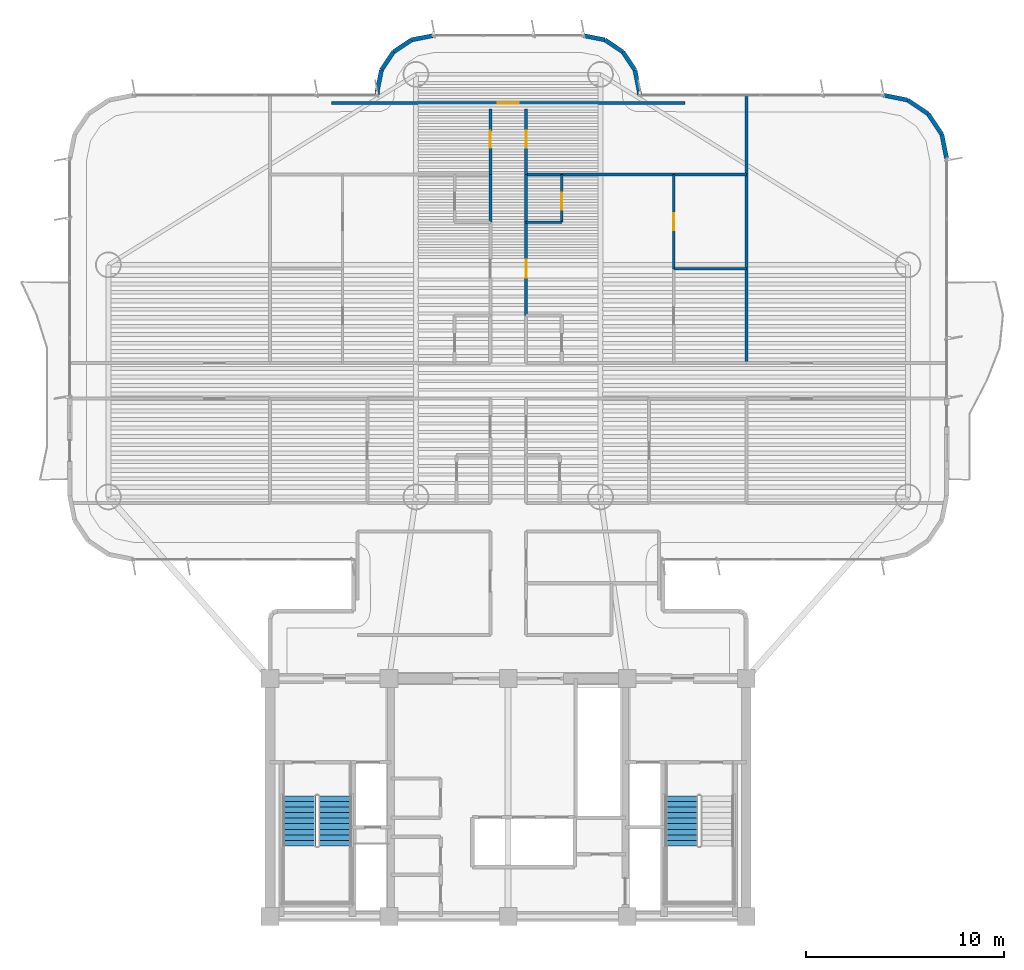
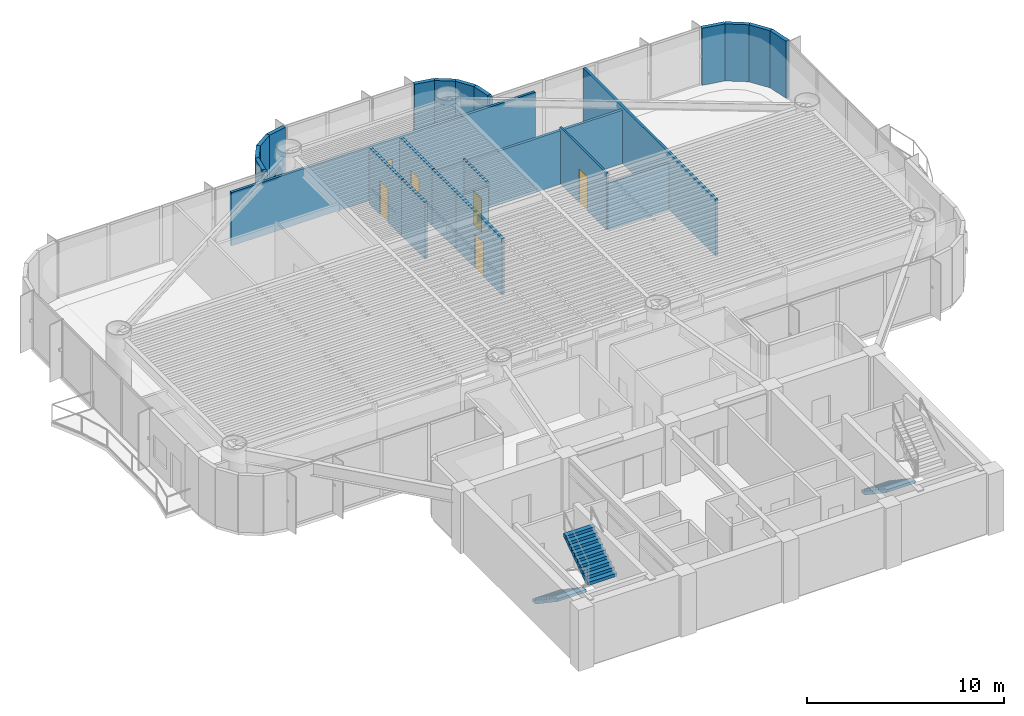
# One storey, part 12 of 17: 26 walls, 6 doors, 3 stair flights, 6 openings, 2 elements without a shape of their own.
"""IFC4 building model written with IfcOpenShell, lengths in metres."""

from ifc_helpers import new_model, si_unit, direction, frame, frame_2d, origin, origin_2d, place, context, subcontext, project, spatial, polyline, rectangle, outline, extrude, source, transform, mapped, material, layer, layer_set, type_object, element, fill, aggregate, save


model = new_model("IFC4")

# Units and contexts
model_context = context("Model", 3, precision=1e-05, world=origin(), true_north=direction((0.0, 1.0)))
body_context = subcontext(model_context, "Body", "Model", "MODEL_VIEW")
ifc_project = project(units=[si_unit("LENGTHUNIT", "METRE"), si_unit("AREAUNIT", "SQUARE_METRE"), si_unit("VOLUMEUNIT", "CUBIC_METRE"), si_unit("PLANEANGLEUNIT", "RADIAN"), si_unit("MASSUNIT", "GRAM", prefix="KILO")], contexts=[model_context])

# Site, building, storey
site_placement = place(None, origin())
site = spatial("IfcSite", under=ifc_project, at=site_placement, CompositionType="ELEMENT")
building_placement = place(site_placement, origin())
building = spatial("IfcBuilding", under=site, at=building_placement, Name="Brelvock Crest Care Tower", CompositionType="ELEMENT")
storey_placement = place(building_placement, frame((0.0, 0.0, 97.3798828125)))
storey = spatial("IfcBuildingStorey", under=building, at=storey_placement, Name="L24", CompositionType="ELEMENT", Elevation=97.3798828125)

# Walls
ifc_material_1 = material(Name="Precast concrete N40 (40 MPa)", Category="concrete")
ifc_layer_1 = layer(ifc_material_1, 0.215087890625, Name="WL-EX2")
ifc_layer_set_1 = layer_set([ifc_layer_1], Name="Precast concrete N40 (40 MPa)")
wall_type_1 = type_object("IfcWallType", Name="WL-EX2", PredefinedType="SOLIDWALL", material=ifc_layer_set_1)
wall_1_placement = place(storey_placement, frame((29.39990234375, 47.39990234375, 0.0), z_axis=(0.0, 0.0, 1.0), x_axis=(0.0, 1.0, 0.0)))
element("IfcWall", 1, at=wall_1_placement, inside=storey, type_object=wall_type_1, Name="L24 Rounded Corner Wall 23", PredefinedType="SOLIDWALL", context=body_context, shape_type="SweptSolid", body=[
    extrude(rectangle(XDim=0.2001953125, YDim=0.215087890625, at=frame_2d((0.10009765625, 0.0))), origin(), (0.0, 0.0, 1.0), 3.530029296875),
])
wall_2_placement = place(storey_placement, frame((29.39990234375, 47.60009765625, 0.0), z_axis=(0.0, 0.0, 1.0), x_axis=(0.195127417394, 0.980777900945, 0.0)))
element("IfcWall", 2, at=wall_2_placement, inside=storey, type_object=wall_type_1, Name="L24 Rounded Corner Wall 24", PredefinedType="SOLIDWALL", context=body_context, shape_type="SweptSolid", body=[
    extrude(rectangle(XDim=1.09228515625, YDim=0.215087890625, at=frame_2d((0.546142578125, 0.0))), origin(), (0.0, 0.0, 1.0), 3.530029296875),
])
wall_3_placement = place(storey_placement, frame((29.613037109375, 48.67138671875, 0.0), z_axis=(0.0, 0.0, 1.0), x_axis=(0.555679482341, 0.831396603857, 0.0)))
element("IfcWall", 3, at=wall_3_placement, inside=storey, type_object=wall_type_1, Name="L24 Rounded Corner Wall 25", PredefinedType="SOLIDWALL", context=body_context, shape_type="SweptSolid", body=[
    extrude(rectangle(XDim=1.0927734375, YDim=0.215087890625, at=frame_2d((0.54638671875, 0.0))), origin(), (0.0, 0.0, 1.0), 3.530029296875),
])
for number, where, z_axis, x_axis, name in (
    (4, (30.22021484375, 49.579833984375, 0.0), (0.0, 0.0, 1.0), (0.831327592857, 0.555782721353, 0.0), "L24 Rounded Corner Wall 26"),
    (5, (31.12841796875, 50.18701171875, 0.0), (0.0, 0.0, 1.0), (0.980829143587, 0.194869677195, 0.0), "L24 Rounded Corner Wall 27"),
    (6, (39.800048828125, 50.39990234375, 0.0), (0.0, 0.0, 1.0), (0.980829143587, -0.194869677195, 0.0), "L24 Rounded Corner Wall 29"),
    (7, (40.87158203125, 50.18701171875, 0.0), (0.0, 0.0, 1.0), (0.831327592857, -0.555782721353, 0.0), "L24 Rounded Corner Wall 30"),
):
    element("IfcWall", number, at=place(storey_placement, frame(where, z_axis=z_axis, x_axis=x_axis)), inside=storey, type_object=wall_type_1, Name=name, PredefinedType="SOLIDWALL", context=body_context, shape_type="SweptSolid", body=[
        extrude(rectangle(XDim=1.092529296875, YDim=0.215087890625, at=frame_2d((0.54638671875, 0.0))), origin(), (0.0, 0.0, 1.0), 3.530029296875),
    ])
wall_4_placement = place(storey_placement, frame((41.77978515625, 49.579833984375, 0.0), z_axis=(0.0, 0.0, 1.0), x_axis=(0.555679482341, -0.831396603857, 0.0)))
element("IfcWall", 8, at=wall_4_placement, inside=storey, type_object=wall_type_1, Name="L24 Rounded Corner Wall 31", PredefinedType="SOLIDWALL", context=body_context, shape_type="SweptSolid", body=[
    extrude(rectangle(XDim=1.0927734375, YDim=0.215087890625, at=frame_2d((0.54638671875, 0.0))), origin(), (0.0, 0.0, 1.0), 3.530029296875),
])
wall_5_placement = place(storey_placement, frame((42.386962890625, 48.67138671875, 0.0), z_axis=(0.0, 0.0, 1.0), x_axis=(0.195127417394, -0.980777900945, 0.0)))
element("IfcWall", 9, at=wall_5_placement, inside=storey, type_object=wall_type_1, Name="L24 Rounded Corner Wall 32", PredefinedType="SOLIDWALL", context=body_context, shape_type="SweptSolid", body=[
    extrude(rectangle(XDim=1.09228515625, YDim=0.215087890625, at=frame_2d((0.546142578125, 0.0))), origin(), (0.0, 0.0, 1.0), 3.530029296875),
])
wall_6_placement = place(storey_placement, frame((42.60009765625, 47.60009765625, 0.0), z_axis=(0.0, 0.0, 1.0), x_axis=(0.0, -1.0, 0.0)))
element("IfcWall", 10, at=wall_6_placement, inside=storey, type_object=wall_type_1, Name="L24 Rounded Corner Wall 33", PredefinedType="SOLIDWALL", context=body_context, shape_type="SweptSolid", body=[
    extrude(rectangle(XDim=0.2001953125, YDim=0.215087890625, at=frame_2d((0.10009765625, 0.0))), origin(), (0.0, 0.0, 1.0), 3.530029296875),
])
for number, where, z_axis, x_axis, name in (
    (11, (54.89990234375, 47.39990234375, 0.0), (0.0, 0.0, 1.0), (0.980813122964, -0.194950295773, 0.0), "L24 Rounded Corner Wall 35"),
    (12, (56.12451171875, 47.156494140625, 0.0), (0.0, 0.0, 1.0), (0.831387912822, -0.555692485475, 0.0), "L24 Rounded Corner Wall 36"),
    (13, (57.16259765625, 46.462646484375, 0.0), (0.0, 0.0, 1.0), (0.555692485475, -0.831387912822, 0.0), "L24 Rounded Corner Wall 37"),
    (14, (57.8564453125, 45.424560546875, 0.0), (0.0, 0.0, 1.0), (0.195138390419, -0.980775717779, 0.0), "L24 Rounded Corner Wall 38"),
):
    element("IfcWall", number, at=place(storey_placement, frame(where, z_axis=z_axis, x_axis=x_axis)), inside=storey, type_object=wall_type_1, Name=name, PredefinedType="SOLIDWALL", context=body_context, shape_type="SweptSolid", body=[
        extrude(rectangle(XDim=1.24853515625, YDim=0.215087890625, at=frame_2d((0.624267578125, 0.0))), origin(), (0.0, 0.0, 1.0), 3.530029296875),
    ])
ifc_material_2 = material(Name="Masonry Blockwork Acoustic Partition", Category="masonry")
ifc_layer_2 = layer(ifc_material_2, 0.14990234375, Name="WL-INT1")
ifc_layer_set_2 = layer_set([ifc_layer_2], Name="Masonry Blockwork Acoustic Partition")
wall_type_2 = type_object("IfcWallType", Name="WL-INT1", PredefinedType="PARTITIONING", material=ifc_layer_set_2)
wall_7_placement = place(storey_placement, frame((36.89990234375, 43.39990234375, 0.0), z_axis=(0.0, 0.0, 1.0), x_axis=(1.0, 0.0, 0.0)))
element("IfcWall", 15, at=wall_7_placement, inside=storey, type_object=wall_type_2, Name="L24 Interior Wall WL-BX-L24-FL-INEI-N", PredefinedType="PARTITIONING", context=body_context, shape_type="SweptSolid", body=[
    extrude(rectangle(XDim=11.10009765625, YDim=0.14990234375, at=frame_2d((5.550048828125, 0.0))), origin(), (0.0, 0.0, 1.0), 3.30810546875),
])

# Wall, opening, door
wall_8_placement = place(storey_placement, frame((27.10009765625, 47.0, 0.0), z_axis=(0.0, 0.0, 1.0), x_axis=(1.0, 0.0, 0.0)))
wall_8 = element("IfcWall", 16, at=wall_8_placement, inside=storey, type_object=wall_type_2, Name="L24 Interior Wall WL-RM-L24-NHUB", PredefinedType="PARTITIONING", context=body_context, shape_type="SweptSolid", body=[
    extrude(rectangle(XDim=17.7998046875, YDim=0.14990234375, at=frame_2d((8.89990234375, 0.0))), origin(), (0.0, 0.0, 1.0), 3.30810546875),
])
opening_1_placement = place(wall_8_placement, frame((8.375, 0.0, 0.0)))
opening_1 = element("IfcOpeningElement", 17, at=opening_1_placement, cuts=wall_8, Name="Opening CLD-1", PredefinedType="OPENING", context=body_context, shape_type="SweptSolid", body=[
    extrude(rectangle(XDim=1.050048828125, YDim=2.10009765625, at=origin_2d()), frame((0.52490234375, 0.0849609375, 1.050048828125), z_axis=(0.0, -1.0, 0.0), x_axis=(1.0, 0.0, 0.0)), (0.0, 0.0, 1.0), 0.169921875),
])
ifc_material_3 = material(Name="Engineered Hardwood Timber", Category="wood")
door_type_1 = type_object("IfcDoorType", Name="DR-CLN1", OperationType="NOTDEFINED", PredefinedType="DOOR", material=ifc_material_3)
shared_shape_1 = source(origin(), body_context, "Body", "SweptSolid", [
    extrude(rectangle(XDim=1.050048828125, YDim=2.10009765625, at=origin_2d()), frame((0.52490234375, 0.02490234375, 1.050048828125), z_axis=(0.0, -1.0, 0.0), x_axis=(1.0, 0.0, 0.0)), (0.0, 0.0, 1.0), 0.050048828125),
])
door_1_placement = place(opening_1_placement, origin())
door_1 = element("IfcDoor", 18, at=door_1_placement, inside=storey, type_object=door_type_1, Name="L24 North Panorama Sunroom Door NHUB", OperationType="SINGLE_SWING_LEFT", OverallHeight=2.10009765625, OverallWidth=1.050048828125, PredefinedType="DOOR", context=body_context, shape_type="MappedRepresentation", body=[
    mapped(shared_shape_1, transform((0.0, 0.0, 0.0), x_axis=(1.0, 0.0, 0.0), y_axis=(0.0, 1.0, 0.0), z_axis=(0.0, 0.0, 1.0), scale=1.0)),
])
fill(opening_1, door_1)

# Wall
wall_9_placement = place(storey_placement, frame((35.10009765625, 41.0, 0.0), z_axis=(0.0, 0.0, 1.0), x_axis=(0.0, 1.0, 0.0)))
element("IfcWall", 19, at=wall_9_placement, inside=storey, type_object=wall_type_2, Name="L24 Interior Wall WL-UCK-L24-INWI", PredefinedType="PARTITIONING", context=body_context, shape_type="SweptSolid", body=[
    extrude(rectangle(XDim=2.39990234375, YDim=0.14990234375, at=frame_2d((1.199951171875, 0.0))), origin(), (0.0, 0.0, 1.0), 3.5),
])

# Wall, opening, door
wall_10_placement = place(storey_placement, frame((35.10009765625, 43.39990234375, 0.0), z_axis=(0.0, 0.0, 1.0), x_axis=(0.0, 1.0, 0.0)))
wall_10 = element("IfcWall", 20, at=wall_10_placement, inside=storey, type_object=wall_type_2, Name="L24 Interior Wall WL-RM-L24-INWN", PredefinedType="PARTITIONING", context=body_context, shape_type="SweptSolid", body=[
    extrude(rectangle(XDim=3.300048828125, YDim=0.14990234375, at=frame_2d((1.64990234375, 0.0))), origin(), (0.0, 0.0, 1.0), 3.5),
])
opening_2_placement = place(wall_10_placement, frame((1.340087890625, 0.0, 0.0)))
opening_2 = element("IfcOpeningElement", 21, at=opening_2_placement, cuts=wall_10, Name="Opening ID-1", PredefinedType="OPENING", context=body_context, shape_type="SweptSolid", body=[
    extrude(rectangle(XDim=0.860107421875, YDim=2.10009765625, at=origin_2d()), frame((0.43017578125, 0.0849609375, 1.050048828125), z_axis=(0.0, -1.0, 0.0), x_axis=(1.0, 0.0, 0.0)), (0.0, 0.0, 1.0), 0.169921875),
])
door_type_2 = type_object("IfcDoorType", Name="DR-INT1", OperationType="NOTDEFINED", PredefinedType="DOOR", material=ifc_material_3)
shared_shape_2 = source(origin(), body_context, "Body", "SweptSolid", [
    extrude(rectangle(XDim=0.860107421875, YDim=2.10009765625, at=origin_2d()), frame((0.43017578125, 0.02490234375, 1.050048828125), z_axis=(0.0, -1.0, 0.0), x_axis=(1.0, 0.0, 0.0)), (0.0, 0.0, 1.0), 0.050048828125),
])
door_2_placement = place(opening_2_placement, origin())
door_2 = element("IfcDoor", 22, at=door_2_placement, inside=storey, type_object=door_type_2, Name="L24 Harbour Reading Alcove Door INWN", OperationType="SINGLE_SWING_LEFT", OverallHeight=2.10009765625, OverallWidth=0.860107421875, PredefinedType="DOOR", context=body_context, shape_type="MappedRepresentation", body=[
    mapped(shared_shape_2, transform((0.0, 0.0, 0.0), x_axis=(1.0, 0.0, 0.0), y_axis=(0.0, 1.0, 0.0), z_axis=(0.0, 0.0, 1.0), scale=1.0)),
])
fill(opening_2, door_2)

wall_11_placement = place(storey_placement, frame((36.89990234375, 36.300048828125, 0.0), z_axis=(0.0, 0.0, 1.0), x_axis=(0.0, 1.0, 0.0)))
wall_11 = element("IfcWall", 23, at=wall_11_placement, inside=storey, type_object=wall_type_2, Name="L24 Interior Wall WL-UENT-L24-INEI", PredefinedType="PARTITIONING", context=body_context, shape_type="SweptSolid", body=[
    extrude(rectangle(XDim=4.699951171875, YDim=0.14990234375, at=frame_2d((2.35009765625, 0.0))), origin(), (0.0, 0.0, 1.0), 3.5),
])
opening_3_placement = place(wall_11_placement, frame((1.889892578125, 0.0, 0.0)))
opening_3 = element("IfcOpeningElement", 24, at=opening_3_placement, cuts=wall_11, Name="Opening AD-1", PredefinedType="OPENING", context=body_context, shape_type="SweptSolid", body=[
    extrude(rectangle(XDim=0.919921875, YDim=2.10009765625, at=origin_2d()), frame((0.4599609375, 0.0849609375, 1.050048828125), z_axis=(0.0, -1.0, 0.0), x_axis=(1.0, 0.0, 0.0)), (0.0, 0.0, 1.0), 0.169921875),
])
door_type_3 = type_object("IfcDoorType", Name="DR-APT1", OperationType="NOTDEFINED", PredefinedType="DOOR", material=ifc_material_3)
shared_shape_3 = source(origin(), body_context, "Body", "SweptSolid", [
    extrude(rectangle(XDim=0.919921875, YDim=2.10009765625, at=origin_2d()), frame((0.4599609375, 0.02490234375, 1.050048828125), z_axis=(0.0, -1.0, 0.0), x_axis=(1.0, 0.0, 0.0)), (0.0, 0.0, 1.0), 0.050048828125),
])
door_3_placement = place(opening_3_placement, origin())
door_3 = element("IfcDoor", 25, at=door_3_placement, inside=storey, type_object=door_type_3, Name="L24 Apartment Entrance INEI", OperationType="SINGLE_SWING_LEFT", OverallHeight=2.10009765625, OverallWidth=0.919921875, PredefinedType="DOOR", context=body_context, shape_type="MappedRepresentation", body=[
    mapped(shared_shape_3, transform((0.0, 0.0, 0.0), x_axis=(1.0, 0.0, 0.0), y_axis=(0.0, 1.0, 0.0), z_axis=(0.0, 0.0, 1.0), scale=1.0)),
])
fill(opening_3, door_3)

# Wall
wall_12_placement = place(storey_placement, frame((36.89990234375, 41.0, 0.0), z_axis=(0.0, 0.0, 1.0), x_axis=(0.0, 1.0, 0.0)))
element("IfcWall", 26, at=wall_12_placement, inside=storey, type_object=wall_type_2, Name="L24 Interior Wall WL-UCK-L24-INEI", PredefinedType="PARTITIONING", context=body_context, shape_type="SweptSolid", body=[
    extrude(rectangle(XDim=2.39990234375, YDim=0.14990234375, at=frame_2d((1.199951171875, 0.0))), origin(), (0.0, 0.0, 1.0), 3.5),
])

# Wall, opening, door
wall_13_placement = place(storey_placement, frame((36.89990234375, 43.39990234375, 0.0), z_axis=(0.0, 0.0, 1.0), x_axis=(0.0, 1.0, 0.0)))
wall_13 = element("IfcWall", 27, at=wall_13_placement, inside=storey, type_object=wall_type_2, Name="L24 Interior Wall WL-RM-L24-INEN", PredefinedType="PARTITIONING", context=body_context, shape_type="SweptSolid", body=[
    extrude(rectangle(XDim=3.300048828125, YDim=0.14990234375, at=frame_2d((1.64990234375, 0.0))), origin(), (0.0, 0.0, 1.0), 3.5),
])
opening_4_placement = place(wall_13_placement, frame((1.340087890625, 0.0, 0.0)))
opening_4 = element("IfcOpeningElement", 28, at=opening_4_placement, cuts=wall_13, Name="Opening ID-1", PredefinedType="OPENING", context=body_context, shape_type="SweptSolid", body=[
    extrude(rectangle(XDim=0.860107421875, YDim=2.10009765625, at=origin_2d()), frame((0.43017578125, 0.0849609375, 1.050048828125), z_axis=(0.0, -1.0, 0.0), x_axis=(1.0, 0.0, 0.0)), (0.0, 0.0, 1.0), 0.169921875),
])
door_4_placement = place(opening_4_placement, origin())
door_4 = element("IfcDoor", 29, at=door_4_placement, inside=storey, type_object=door_type_2, Name="L24 Botanical Tea Alcove Door INEN", OperationType="SINGLE_SWING_LEFT", OverallHeight=2.10009765625, OverallWidth=0.860107421875, PredefinedType="DOOR", context=body_context, shape_type="MappedRepresentation", body=[
    mapped(shared_shape_2, transform((0.0, 0.0, 0.0), x_axis=(1.0, 0.0, 0.0), y_axis=(0.0, 1.0, 0.0), z_axis=(0.0, 0.0, 1.0), scale=1.0)),
])
fill(opening_4, door_4)

# Walls
wall_14_placement = place(storey_placement, frame((48.0, 33.89990234375, 0.0), z_axis=(0.0, 0.0, 1.0), x_axis=(0.0, 1.0, 0.0)))
element("IfcWall", 30, at=wall_14_placement, inside=storey, type_object=wall_type_2, Name="L24 Interior Wall WL-BX-L24-INEO-W", PredefinedType="PARTITIONING", context=body_context, shape_type="SweptSolid", body=[
    extrude(rectangle(XDim=13.4208984375, YDim=0.14990234375, at=frame_2d((6.71044921875, 0.0))), origin(), (0.0, 0.0, 1.0), 3.5),
])
ifc_material_4 = material(Name="Gypsum Plasterboard Partition", Category="gypsum")
ifc_layer_3 = layer(ifc_material_4, 0.1201171875, Name="WL-INT2")
ifc_layer_set_3 = layer_set([ifc_layer_3], Name="Gypsum Plasterboard Partition")
wall_type_3 = type_object("IfcWallType", Name="WL-INT2", PredefinedType="PARTITIONING", material=ifc_layer_set_3)
wall_15_placement = place(storey_placement, frame((44.35009765625, 38.64990234375, 0.0), z_axis=(0.0, 0.0, 1.0), x_axis=(1.0, 0.0, 0.0)))
element("IfcWall", 31, at=wall_15_placement, inside=storey, type_object=wall_type_3, Name="L24 Interior Wall WL-UBSP-L24-INEI", PredefinedType="PARTITIONING", context=body_context, shape_type="SweptSolid", body=[
    extrude(rectangle(XDim=3.64990234375, YDim=0.1201171875, at=frame_2d((1.824951171875, 0.0))), origin(), (0.0, 0.0, 1.0), 2.903076171875),
])
wall_16_placement = place(storey_placement, frame((36.89990234375, 41.0, 0.0), z_axis=(0.0, 0.0, 1.0), x_axis=(1.0, 0.0, 0.0)))
element("IfcWall", 32, at=wall_16_placement, inside=storey, type_object=wall_type_3, Name="L24 Interior Wall WL-UKIT2-L24-INEI", PredefinedType="PARTITIONING", context=body_context, shape_type="SweptSolid", body=[
    extrude(rectangle(XDim=1.800048828125, YDim=0.1201171875, at=frame_2d((0.89990234375, 0.0))), origin(), (0.0, 0.0, 1.0), 3.259033203125),
])

# Wall, opening, door
wall_17_placement = place(storey_placement, frame((38.699951171875, 41.0, 0.0), z_axis=(0.0, 0.0, 1.0), x_axis=(0.0, 1.0, 0.0)))
wall_17 = element("IfcWall", 33, at=wall_17_placement, inside=storey, type_object=wall_type_3, Name="L24 Interior Wall WL-UKIT1-L24-INEI", PredefinedType="PARTITIONING", context=body_context, shape_type="SweptSolid", body=[
    extrude(rectangle(XDim=2.39990234375, YDim=0.1201171875, at=frame_2d((1.199951171875, 0.0))), origin(), (0.0, 0.0, 1.0), 3.5),
])
opening_5_placement = place(wall_17_placement, frame((0.6201171875, 0.0, 0.0)))
opening_5 = element("IfcOpeningElement", 34, at=opening_5_placement, cuts=wall_17, Name="Opening ID-1", PredefinedType="OPENING", context=body_context, shape_type="SweptSolid", body=[
    extrude(rectangle(XDim=0.860107421875, YDim=2.10009765625, at=origin_2d()), frame((0.43017578125, 0.070068359375, 1.050048828125), z_axis=(0.0, -1.0, 0.0), x_axis=(1.0, 0.0, 0.0)), (0.0, 0.0, 1.0), 0.14013671875),
])
door_5_placement = place(opening_5_placement, origin())
door_5 = element("IfcDoor", 35, at=door_5_placement, inside=storey, type_object=door_type_2, Name="L24 Kitchen Door INEI", OperationType="SINGLE_SWING_RIGHT", OverallHeight=2.10009765625, OverallWidth=0.860107421875, PredefinedType="DOOR", context=body_context, shape_type="MappedRepresentation", body=[
    mapped(shared_shape_2, transform((0.0, 0.0, 0.0), x_axis=(1.0, 0.0, 0.0), y_axis=(0.0, 1.0, 0.0), z_axis=(0.0, 0.0, 1.0), scale=1.0)),
])
fill(opening_5, door_5)

wall_18_placement = place(storey_placement, frame((44.35009765625, 38.64990234375, 0.0), z_axis=(0.0, 0.0, 1.0), x_axis=(0.0, 1.0, 0.0)))
wall_18 = element("IfcWall", 36, at=wall_18_placement, inside=storey, type_object=wall_type_3, Name="L24 Interior Wall WL-UBD2-L24-INEI", PredefinedType="PARTITIONING", context=body_context, shape_type="SweptSolid", body=[
    extrude(rectangle(XDim=4.75, YDim=0.1201171875, at=frame_2d((2.375, 0.0))), origin(), (0.0, 0.0, 1.0), 3.5),
])
opening_6_placement = place(wall_18_placement, frame((1.945068359375, 0.0, 0.0)))
opening_6 = element("IfcOpeningElement", 37, at=opening_6_placement, cuts=wall_18, Name="Opening ID-1", PredefinedType="OPENING", context=body_context, shape_type="SweptSolid", body=[
    extrude(rectangle(XDim=0.860107421875, YDim=2.10009765625, at=origin_2d()), frame((0.43017578125, 0.070068359375, 1.050048828125), z_axis=(0.0, -1.0, 0.0), x_axis=(1.0, 0.0, 0.0)), (0.0, 0.0, 1.0), 0.14013671875),
])
door_6_placement = place(opening_6_placement, origin())
door_6 = element("IfcDoor", 38, at=door_6_placement, inside=storey, type_object=door_type_2, Name="L24 Second Room Door INEI", OperationType="SINGLE_SWING_LEFT", OverallHeight=2.10009765625, OverallWidth=0.860107421875, PredefinedType="DOOR", context=body_context, shape_type="MappedRepresentation", body=[
    mapped(shared_shape_2, transform((0.0, 0.0, 0.0), x_axis=(1.0, 0.0, 0.0), y_axis=(0.0, 1.0, 0.0), z_axis=(0.0, 0.0, 1.0), scale=1.0)),
])
fill(opening_6, door_6)

# Stair, stair flights
ifc_material_5 = material(Name="Concrete N40 (40 MPa)", Category="concrete")
stair_type = type_object("IfcStairType", Name="ST-CORE1", PredefinedType="HALF_TURN_STAIR", material=ifc_material_5)
stair_1_placement = place(storey_placement, origin())
stair_1 = element("IfcStair", 39, at=stair_1_placement, inside=storey, type_object=stair_type, Name="L24 Fire-Isolated Core Stair ST-1", PredefinedType="HALF_TURN_STAIR")
stair_flight_type = type_object("IfcStairFlightType", Name="STF-1", PredefinedType="STRAIGHT", material=ifc_material_5)
stair_flight_1_placement = place(storey_placement, frame((25.469970703125, 12.080078125, 0.0), z_axis=(0.0, 0.0, 1.0), x_axis=(0.0, -1.0, 0.0)))
stair_flight_1 = element("IfcStairFlight", 40, at=stair_flight_1_placement, type_object=stair_flight_type, Name="ST-1 flight 1", NumberOfRisers=10, NumberOfTreads=9, PredefinedType="STRAIGHT", RiserHeight=0.189, TreadLength=0.28, context=body_context, shape_type="SweptSolid", body=[
    extrude(outline(polyline([(-0.00390625, -0.014892578125), (-0.00390625, -0.0078125), (-0.00390625, -0.00048828125), (-0.00390625, 0.0068359375), (-0.00390625, 0.01416015625), (-0.00390625, 0.021484375), (-0.00390625, 0.02880859375), (-0.00390625, 0.035888671875), (-0.00390625, 0.043212890625), (-0.00390625, 0.050537109375), (-0.00390625, 0.057861328125), (-0.00390625, 0.065185546875), (-0.00390625, 0.072509765625), (-0.00390625, 0.07958984375), (-0.00390625, 0.0869140625), (-0.00390625, 0.09423828125), (-0.00390625, 0.1015625), (-0.00390625, 0.10888671875), (-0.00390625, 0.1162109375), (-0.00390625, 0.12353515625), (-0.00390625, 0.130615234375), (-0.00390625, 0.137939453125), (-0.00390625, 0.145263671875), (-0.00390625, 0.152587890625), (-0.00390625, 0.159912109375), (-0.00390625, 0.167236328125), (-0.00390625, 0.17431640625), (-0.00390625, 0.181640625), (-0.00390625, 0.18896484375), (0.0, 0.18896484375), (0.280029296875, 0.18896484375), (0.280029296875, 0.3779296875), (0.56005859375, 0.3779296875), (0.56005859375, 0.56689453125), (0.840087890625, 0.56689453125), (0.840087890625, 0.756103515625), (1.1201171875, 0.756103515625), (1.1201171875, 0.945068359375), (1.39990234375, 0.945068359375), (1.39990234375, 1.134033203125), (1.679931640625, 1.134033203125), (1.679931640625, 1.322998046875), (1.9599609375, 1.322998046875), (1.9599609375, 1.511962890625), (2.239990234375, 1.511962890625), (2.239990234375, 1.700927734375), (2.52001953125, 1.700927734375), (2.52392578125, 1.700927734375), (2.523681640625, 1.70068359375), (2.52392578125, 1.700439453125), (2.523681640625, 1.699951171875), (2.52392578125, 1.69970703125), (2.523681640625, 1.699462890625), (2.52392578125, 1.698974609375), (2.523681640625, 1.69873046875), (2.52392578125, 1.698486328125), (2.523681640625, 1.697998046875), (2.52392578125, 1.69775390625), (2.523681640625, 1.697509765625), (2.52392578125, 1.697021484375), (2.523681640625, 1.69677734375), (2.52392578125, 1.696533203125), (2.523681640625, 1.6962890625), (2.52392578125, 1.69580078125), (2.523681640625, 1.695556640625), (2.52392578125, 1.6953125), (2.523681640625, 1.69482421875), (2.52392578125, 1.694580078125), (2.523681640625, 1.6943359375), (2.52392578125, 1.69384765625), (2.523681640625, 1.693603515625), (2.52392578125, 1.693359375), (2.523681640625, 1.69287109375), (2.52392578125, 1.692626953125), (2.523681640625, 1.6923828125), (2.52392578125, 1.69189453125), (2.52001953125, 1.520263671875), (0.267822265625, 0.0), (0.0, 0.0), (0.0, -0.014892578125), (-0.00390625, -0.014892578125)])), frame((0.0, 0.83984375, 0.0), z_axis=(0.0, -1.0, 0.0), x_axis=(1.0, 0.0, 0.0)), (0.0, 0.0, 1.0), 1.679931640625),
])
stair_flight_2_placement = place(storey_placement, frame((27.27001953125, 9.56005859375, 1.89013671875), z_axis=(0.0, 0.0, 1.0), x_axis=(0.0, 1.0, 0.0)))
stair_flight_2 = element("IfcStairFlight", 41, at=stair_flight_2_placement, type_object=stair_flight_type, Name="ST-1 flight 2", NumberOfRisers=10, NumberOfTreads=9, PredefinedType="STRAIGHT", RiserHeight=0.189, TreadLength=0.28, context=body_context, shape_type="SweptSolid", body=[
    extrude(outline(polyline([(-0.00390625, -0.014892578125), (-0.00390625, -0.0078125), (-0.00390625, -0.00048828125), (-0.00390625, 0.0068359375), (-0.00390625, 0.01416015625), (-0.00390625, 0.021484375), (-0.00390625, 0.02880859375), (-0.00390625, 0.035888671875), (-0.00390625, 0.043212890625), (-0.00390625, 0.050537109375), (-0.00390625, 0.057861328125), (-0.00390625, 0.065185546875), (-0.00390625, 0.072509765625), (-0.00390625, 0.07958984375), (-0.00390625, 0.0869140625), (-0.00390625, 0.09423828125), (-0.00390625, 0.1015625), (-0.00390625, 0.10888671875), (-0.00390625, 0.1162109375), (-0.00390625, 0.12353515625), (-0.00390625, 0.130615234375), (-0.00390625, 0.137939453125), (-0.00390625, 0.145263671875), (-0.00390625, 0.152587890625), (-0.00390625, 0.159912109375), (-0.00390625, 0.167236328125), (-0.00390625, 0.17431640625), (-0.00390625, 0.181640625), (-0.00390625, 0.18896484375), (0.0, 0.18896484375), (0.280029296875, 0.18896484375), (0.280029296875, 0.3779296875), (0.56005859375, 0.3779296875), (0.56005859375, 0.56689453125), (0.840087890625, 0.56689453125), (0.840087890625, 0.756103515625), (1.1201171875, 0.756103515625), (1.1201171875, 0.945068359375), (1.39990234375, 0.945068359375), (1.39990234375, 1.134033203125), (1.679931640625, 1.134033203125), (1.679931640625, 1.322998046875), (1.9599609375, 1.322998046875), (1.9599609375, 1.511962890625), (2.239990234375, 1.511962890625), (2.239990234375, 1.700927734375), (2.52001953125, 1.700927734375), (2.52392578125, 1.700927734375), (2.523681640625, 1.70068359375), (2.52392578125, 1.700439453125), (2.523681640625, 1.699951171875), (2.52392578125, 1.69970703125), (2.523681640625, 1.699462890625), (2.52392578125, 1.698974609375), (2.523681640625, 1.69873046875), (2.52392578125, 1.698486328125), (2.523681640625, 1.697998046875), (2.52392578125, 1.69775390625), (2.523681640625, 1.697509765625), (2.52392578125, 1.697021484375), (2.523681640625, 1.69677734375), (2.52392578125, 1.696533203125), (2.523681640625, 1.6962890625), (2.52392578125, 1.69580078125), (2.523681640625, 1.695556640625), (2.52392578125, 1.6953125), (2.523681640625, 1.69482421875), (2.52392578125, 1.694580078125), (2.523681640625, 1.6943359375), (2.52392578125, 1.69384765625), (2.523681640625, 1.693603515625), (2.52392578125, 1.693359375), (2.523681640625, 1.69287109375), (2.52392578125, 1.692626953125), (2.523681640625, 1.6923828125), (2.52392578125, 1.69189453125), (2.52001953125, 1.520263671875), (0.267822265625, 0.0), (0.0, 0.0), (0.0, -0.014892578125), (-0.00390625, -0.014892578125)])), frame((0.0, 0.83984375, 0.0), z_axis=(0.0, -1.0, 0.0), x_axis=(1.0, 0.0, 0.0)), (0.0, 0.0, 1.0), 1.679931640625),
])
aggregate(stair_1, [stair_flight_1, stair_flight_2])

# Stair, stair flight
stair_2_placement = place(storey_placement, origin())
stair_2 = element("IfcStair", 42, at=stair_2_placement, inside=storey, type_object=stair_type, Name="L24 Fire-Isolated Core Stair ST-2", PredefinedType="HALF_TURN_STAIR")
stair_flight_3_placement = place(storey_placement, frame((44.72998046875, 12.080078125, 0.0), z_axis=(0.0, 0.0, 1.0), x_axis=(0.0, -1.0, 0.0)))
stair_flight_3 = element("IfcStairFlight", 43, at=stair_flight_3_placement, type_object=stair_flight_type, Name="ST-2 flight 1", NumberOfRisers=10, NumberOfTreads=9, PredefinedType="STRAIGHT", RiserHeight=0.189, TreadLength=0.28, context=body_context, shape_type="SweptSolid", body=[
    extrude(outline(polyline([(-0.00390625, -0.014892578125), (-0.00390625, -0.0078125), (-0.00390625, -0.00048828125), (-0.00390625, 0.0068359375), (-0.00390625, 0.01416015625), (-0.00390625, 0.021484375), (-0.00390625, 0.02880859375), (-0.00390625, 0.035888671875), (-0.00390625, 0.043212890625), (-0.00390625, 0.050537109375), (-0.00390625, 0.057861328125), (-0.00390625, 0.065185546875), (-0.00390625, 0.072509765625), (-0.00390625, 0.07958984375), (-0.00390625, 0.0869140625), (-0.00390625, 0.09423828125), (-0.00390625, 0.1015625), (-0.00390625, 0.10888671875), (-0.00390625, 0.1162109375), (-0.00390625, 0.12353515625), (-0.00390625, 0.130615234375), (-0.00390625, 0.137939453125), (-0.00390625, 0.145263671875), (-0.00390625, 0.152587890625), (-0.00390625, 0.159912109375), (-0.00390625, 0.167236328125), (-0.00390625, 0.17431640625), (-0.00390625, 0.181640625), (-0.00390625, 0.18896484375), (0.0, 0.18896484375), (0.280029296875, 0.18896484375), (0.280029296875, 0.3779296875), (0.56005859375, 0.3779296875), (0.56005859375, 0.56689453125), (0.840087890625, 0.56689453125), (0.840087890625, 0.756103515625), (1.1201171875, 0.756103515625), (1.1201171875, 0.945068359375), (1.39990234375, 0.945068359375), (1.39990234375, 1.134033203125), (1.679931640625, 1.134033203125), (1.679931640625, 1.322998046875), (1.9599609375, 1.322998046875), (1.9599609375, 1.511962890625), (2.239990234375, 1.511962890625), (2.239990234375, 1.700927734375), (2.52001953125, 1.700927734375), (2.52392578125, 1.700927734375), (2.523681640625, 1.70068359375), (2.52392578125, 1.700439453125), (2.523681640625, 1.699951171875), (2.52392578125, 1.69970703125), (2.523681640625, 1.699462890625), (2.52392578125, 1.698974609375), (2.523681640625, 1.69873046875), (2.52392578125, 1.698486328125), (2.523681640625, 1.697998046875), (2.52392578125, 1.69775390625), (2.523681640625, 1.697509765625), (2.52392578125, 1.697021484375), (2.523681640625, 1.69677734375), (2.52392578125, 1.696533203125), (2.523681640625, 1.6962890625), (2.52392578125, 1.69580078125), (2.523681640625, 1.695556640625), (2.52392578125, 1.6953125), (2.523681640625, 1.69482421875), (2.52392578125, 1.694580078125), (2.523681640625, 1.6943359375), (2.52392578125, 1.69384765625), (2.523681640625, 1.693603515625), (2.52392578125, 1.693359375), (2.523681640625, 1.69287109375), (2.52392578125, 1.692626953125), (2.523681640625, 1.6923828125), (2.52392578125, 1.69189453125), (2.52001953125, 1.520263671875), (0.267822265625, 0.0), (0.0, 0.0), (0.0, -0.014892578125), (-0.00390625, -0.014892578125)])), frame((0.0, 0.83984375, 0.0), z_axis=(0.0, -1.0, 0.0), x_axis=(1.0, 0.0, 0.0)), (0.0, 0.0, 1.0), 1.679931640625),
])
aggregate(stair_2, [stair_flight_3])

save(model, "model.ifc")
